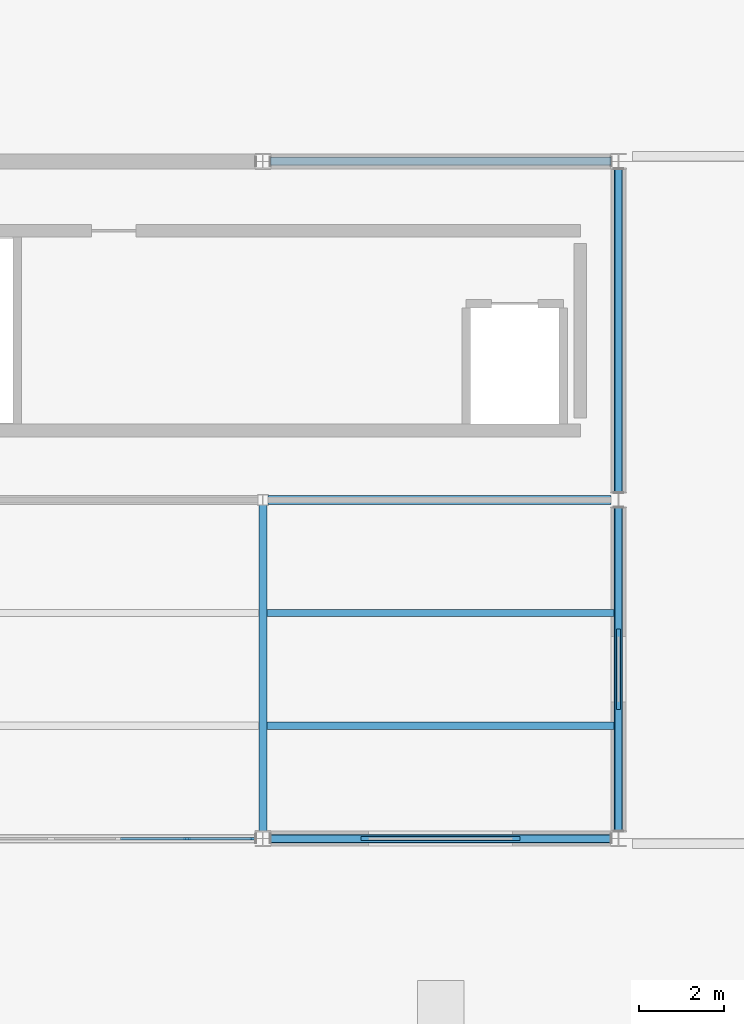
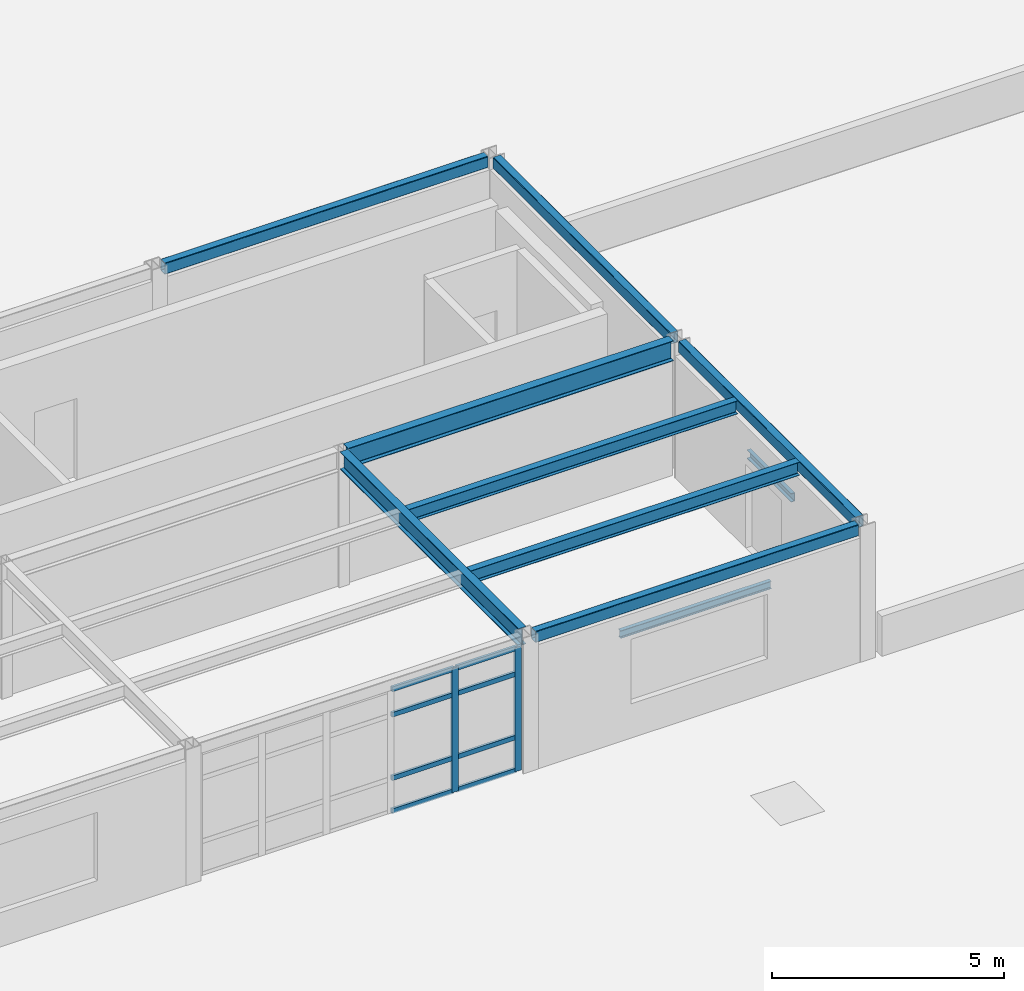
# One storey, part 19 of 96: 10 beams, 10 members, 1 element without a shape of its own.
"""IFC4 building model written with IfcOpenShell, lengths in metres."""

from ifc_helpers import new_model, si_unit, direction, frame, origin, origin_2d, place, context, subcontext, project, spatial, rectangle, hollow_rectangle, i_section, u_section, extrude, material, layer, layer_set, material_profile, profile_set, type_object, element, aggregate, save


model = new_model("IFC4")

# Units and contexts
model_context = context("Model", 3, precision=1e-05, world=origin(), true_north=direction((0.0, 1.0)))
body_context = subcontext(model_context, "Body", "Model", "MODEL_VIEW")
ifc_project = project(units=[si_unit("LENGTHUNIT", "METRE"), si_unit("AREAUNIT", "SQUARE_METRE"), si_unit("VOLUMEUNIT", "CUBIC_METRE"), si_unit("PLANEANGLEUNIT", "RADIAN"), si_unit("MASSUNIT", "GRAM", prefix="KILO")], contexts=[model_context])

# Site, building, storey
site_placement = place(None, origin())
site = spatial("IfcSite", under=ifc_project, at=site_placement, CompositionType="ELEMENT")
building_placement = place(site_placement, origin())
building = spatial("IfcBuilding", under=site, at=building_placement, Name="Kranzveld Transit Interchange", CompositionType="ELEMENT")
storey_placement = place(building_placement, frame((0.0, 0.0, 9.52001953125)))
storey = spatial("IfcBuildingStorey", under=building, at=storey_placement, Name="L02", CompositionType="ELEMENT", Elevation=9.52001953125)

# Beam
ifc_material_1 = material(Name="Steel S355JR", Category="steel")
ifc_material_profile_1 = material_profile(ifc_material_1, i_section(OverallWidth=0.19189453125, OverallDepth=0.46337890625, WebThickness=0.010498046875, FlangeThickness=0.017578125, FilletRadius=0.01025390625, at=origin_2d()), Name="UB 457x191x89")
ifc_profile_set_1 = profile_set([ifc_material_profile_1], Name="Steel S355JR")
beam_type_1 = type_object("IfcBeamType", Name="Beam Steel UB 457x191x89 S355JR", PredefinedType="BEAM", material=ifc_profile_set_1)
beam_1_placement = place(storey_placement, frame((67.199951171875, 24.17724609375, 3.33837890625), z_axis=(0.0, 1.0, 0.0), x_axis=(-1.0, 0.0, 0.0)))
element("IfcBeam", 1, at=beam_1_placement, inside=storey, type_object=beam_type_1, Name="L02 Girder 09/D-E", PredefinedType="BEAM", context=body_context, shape_type="SweptSolid", body=[
    extrude(i_section(OverallWidth=0.19189453125, OverallDepth=0.46337890625, WebThickness=0.010498046875, FlangeThickness=0.017578125, FilletRadius=0.01025390625, at=origin_2d()), origin(), (0.0, 0.0, 1.0), 7.699462890625),
])

# Curtain wall, members
ifc_material_2 = material(Name="Bronze-anodised thermally broken aluminium", Category="aluminium")
ifc_layer = layer(ifc_material_2, 0.155029296875)
ifc_layer_set = layer_set([ifc_layer], Name="Bronze-anodised thermally broken aluminium")
curtain_wall_type = type_object("IfcCurtainWallType", Name="Operations Courtyard Glazed Screen CW-6", PredefinedType="USERDEFINED", material=ifc_layer_set)
curtain_wall_placement = place(storey_placement, origin())
curtain_wall = element("IfcCurtainWall", 2, at=curtain_wall_placement, inside=storey, type_object=curtain_wall_type, Name="L02 Curtain Wall 08/D-09/D", ObjectType="CURTAIN WALL", PredefinedType="USERDEFINED")
ifc_material_3 = material(Name="Bronze-anodised thermally broken aluminium", Category="aluminium")
ifc_material_profile_2 = material_profile(ifc_material_3, rectangle(XDim=0.06494140625, YDim=0.1650390625, at=origin_2d()), Name="ALU MULLION 65x165")
ifc_profile_set_2 = profile_set([ifc_material_profile_2], Name="Bronze-anodised thermally broken aluminium")
member_type_1 = type_object("IfcMemberType", Name="Curtain Wall Mullion 65x165 Alu", PredefinedType="MULLION", material=ifc_profile_set_2)
member_1_placement = place(storey_placement, frame((65.40771484375, 24.0, 0.0), z_axis=(0.0, 0.0, 1.0), x_axis=(0.0, 1.0, 0.0)))
member_1 = element("IfcMember", 3, at=member_1_placement, type_object=member_type_1, Name="CW-6 mullion 5", PredefinedType="MULLION", context=body_context, shape_type="SweptSolid", body=[
    extrude(rectangle(XDim=0.06494140625, YDim=0.1650390625, at=origin_2d()), origin(), (0.0, 0.0, 1.0), 3.27001953125),
])
member_2_placement = place(storey_placement, frame((66.980224609375, 24.0, 0.0), z_axis=(0.0, 0.0, 1.0), x_axis=(0.0, 1.0, 0.0)))
member_2 = element("IfcMember", 4, at=member_2_placement, type_object=member_type_1, Name="CW-6 mullion 6", PredefinedType="MULLION", context=body_context, shape_type="SweptSolid", body=[
    extrude(rectangle(XDim=0.06494140625, YDim=0.1650390625, at=origin_2d()), origin(), (0.0, 0.0, 1.0), 3.27001953125),
])
ifc_material_4 = material(Name="Bronze-anodised thermally broken aluminium", Category="aluminium")
ifc_material_profile_3 = material_profile(ifc_material_4, rectangle(XDim=0.06005859375, YDim=0.125, at=origin_2d()), Name="ALU TRANSOM 60x125")
ifc_profile_set_3 = profile_set([ifc_material_profile_3], Name="Bronze-anodised thermally broken aluminium")
member_type_2 = type_object("IfcMemberType", Name="Curtain Wall Transom 60x125 Alu", PredefinedType="USERDEFINED", material=ifc_profile_set_3)
member_3_placement = place(storey_placement, frame((63.8349609375, 24.0, 0.030029296875), z_axis=(1.0, 0.0, 0.0), x_axis=(0.0, 1.0, 0.0)))
member_3 = element("IfcMember", 5, at=member_3_placement, type_object=member_type_2, Name="CW-6 transom 4.1", ObjectType="TRANSOM", PredefinedType="USERDEFINED", context=body_context, shape_type="SweptSolid", body=[
    extrude(rectangle(XDim=0.06005859375, YDim=0.125, at=origin_2d()), origin(), (0.0, 0.0, 1.0), 1.5400390625),
])
member_4_placement = place(storey_placement, frame((63.8349609375, 24.0, 0.89990234375), z_axis=(1.0, 0.0, 0.0), x_axis=(0.0, 1.0, 0.0)))
member_4 = element("IfcMember", 6, at=member_4_placement, type_object=member_type_2, Name="CW-6 transom 4.2", ObjectType="TRANSOM", PredefinedType="USERDEFINED", context=body_context, shape_type="SweptSolid", body=[
    extrude(rectangle(XDim=0.06005859375, YDim=0.125, at=origin_2d()), origin(), (0.0, 0.0, 1.0), 1.5400390625),
])
member_5_placement = place(storey_placement, frame((63.8349609375, 24.0, 2.570068359375), z_axis=(1.0, 0.0, 0.0), x_axis=(0.0, 1.0, 0.0)))
member_5 = element("IfcMember", 7, at=member_5_placement, type_object=member_type_2, Name="CW-6 transom 4.3", ObjectType="TRANSOM", PredefinedType="USERDEFINED", context=body_context, shape_type="SweptSolid", body=[
    extrude(rectangle(XDim=0.06005859375, YDim=0.125, at=origin_2d()), origin(), (0.0, 0.0, 1.0), 1.5400390625),
])
member_6_placement = place(storey_placement, frame((63.8349609375, 24.0, 3.239990234375), z_axis=(1.0, 0.0, 0.0), x_axis=(0.0, 1.0, 0.0)))
member_6 = element("IfcMember", 8, at=member_6_placement, type_object=member_type_2, Name="CW-6 transom 4.4", ObjectType="TRANSOM", PredefinedType="USERDEFINED", context=body_context, shape_type="SweptSolid", body=[
    extrude(rectangle(XDim=0.06005859375, YDim=0.125, at=origin_2d()), origin(), (0.0, 0.0, 1.0), 1.5400390625),
])
member_7_placement = place(storey_placement, frame((65.440185546875, 24.0, 0.030029296875), z_axis=(1.0, 0.0, 0.0), x_axis=(0.0, 1.0, 0.0)))
member_7 = element("IfcMember", 9, at=member_7_placement, type_object=member_type_2, Name="CW-6 transom 5.1", ObjectType="TRANSOM", PredefinedType="USERDEFINED", context=body_context, shape_type="SweptSolid", body=[
    extrude(rectangle(XDim=0.06005859375, YDim=0.125, at=origin_2d()), origin(), (0.0, 0.0, 1.0), 1.507568359375),
])
member_8_placement = place(storey_placement, frame((65.440185546875, 24.0, 0.89990234375), z_axis=(1.0, 0.0, 0.0), x_axis=(0.0, 1.0, 0.0)))
member_8 = element("IfcMember", 10, at=member_8_placement, type_object=member_type_2, Name="CW-6 transom 5.2", ObjectType="TRANSOM", PredefinedType="USERDEFINED", context=body_context, shape_type="SweptSolid", body=[
    extrude(rectangle(XDim=0.06005859375, YDim=0.125, at=origin_2d()), origin(), (0.0, 0.0, 1.0), 1.507568359375),
])
member_9_placement = place(storey_placement, frame((65.440185546875, 24.0, 2.570068359375), z_axis=(1.0, 0.0, 0.0), x_axis=(0.0, 1.0, 0.0)))
member_9 = element("IfcMember", 11, at=member_9_placement, type_object=member_type_2, Name="CW-6 transom 5.3", ObjectType="TRANSOM", PredefinedType="USERDEFINED", context=body_context, shape_type="SweptSolid", body=[
    extrude(rectangle(XDim=0.06005859375, YDim=0.125, at=origin_2d()), origin(), (0.0, 0.0, 1.0), 1.507568359375),
])
member_10_placement = place(storey_placement, frame((65.440185546875, 24.0, 3.239990234375), z_axis=(1.0, 0.0, 0.0), x_axis=(0.0, 1.0, 0.0)))
member_10 = element("IfcMember", 12, at=member_10_placement, type_object=member_type_2, Name="CW-6 transom 5.4", ObjectType="TRANSOM", PredefinedType="USERDEFINED", context=body_context, shape_type="SweptSolid", body=[
    extrude(rectangle(XDim=0.06005859375, YDim=0.125, at=origin_2d()), origin(), (0.0, 0.0, 1.0), 1.507568359375),
])
aggregate(curtain_wall, [member_1, member_2, member_3, member_4, member_5, member_6, member_7, member_8, member_9, member_10])

# Beams
ifc_material_5 = material(Name="Steel S355JR", Category="steel")
ifc_material_profile_4 = material_profile(ifc_material_5, hollow_rectangle(XDim=0.199951171875, YDim=0.300048828125, WallThickness=0.010009765625, InnerFilletRadius=0.014892578125, OuterFilletRadius=0.02490234375, at=origin_2d()), Name="RHS 300x200x10")
ifc_profile_set_4 = profile_set([ifc_material_profile_4], Name="Steel S355JR")
beam_type_2 = type_object("IfcBeamType", Name="Edge Spandrel RHS 300x200x10 S355JR", PredefinedType="SPANDREL", material=ifc_profile_set_4)
for number, where, z_axis, x_axis, name in (
    (13, (67.377197265625, 24.0, 3.419921875), (1.0, 0.0, 0.0), (0.0, 1.0, 0.0), "L02 Girder 09-10/D"),
    (14, (67.377197265625, 40.0, 3.419921875), (1.0, 0.0, 0.0), (0.0, 1.0, 0.0), "L02 Girder 09-10/F"),
):
    element("IfcBeam", number, at=place(storey_placement, frame(where, z_axis=z_axis, x_axis=x_axis)), inside=storey, type_object=beam_type_2, Name=name, PredefinedType="SPANDREL", context=body_context, shape_type="SweptSolid", body=[
        extrude(hollow_rectangle(XDim=0.199951171875, YDim=0.300048828125, WallThickness=0.010009765625, InnerFilletRadius=0.014892578125, OuterFilletRadius=0.02490234375, at=origin_2d()), origin(), (0.0, 0.0, 1.0), 8.04541015625),
    ])
for number, where, z_axis, x_axis, name in (
    (15, (75.60009765625, 24.17724609375, 3.419921875), (0.0, 1.0, 0.0), (-1.0, 0.0, 0.0), "L02 Girder 10/D-E"),
    (16, (75.60009765625, 32.17724609375, 3.419921875), (0.0, 1.0, 0.0), (-1.0, 0.0, 0.0), "L02 Girder 10/E-F"),
):
    element("IfcBeam", number, at=place(storey_placement, frame(where, z_axis=z_axis, x_axis=x_axis)), inside=storey, type_object=beam_type_2, Name=name, PredefinedType="SPANDREL", context=body_context, shape_type="SweptSolid", body=[
        extrude(hollow_rectangle(XDim=0.199951171875, YDim=0.300048828125, WallThickness=0.010009765625, InnerFilletRadius=0.014892578125, OuterFilletRadius=0.02490234375, at=origin_2d()), origin(), (0.0, 0.0, 1.0), 7.6455078125),
    ])
ifc_material_6 = material(Name="Steel S355JR", Category="steel")
ifc_material_profile_5 = material_profile(ifc_material_6, i_section(OverallWidth=0.171142578125, OverallDepth=0.351318359375, WebThickness=0.007080078125, FlangeThickness=0.009765625, FilletRadius=0.01025390625, at=origin_2d()), Name="UB 356x171x45")
ifc_profile_set_5 = profile_set([ifc_material_profile_5], Name="Steel S355JR")
beam_type_3 = type_object("IfcBeamType", Name="Floor Joist UB 356x171x45 S355JR", PredefinedType="JOIST", material=ifc_profile_set_5)
for number, where, z_axis, x_axis, name in (
    (17, (67.2978515625, 26.666748046875, 3.394287109375), (1.0, 0.0, 0.0), (0.0, 1.0, 0.0), "L02 Secondary Joist 09-10/D.1"),
    (18, (67.2978515625, 29.333251953125, 3.394287109375), (1.0, 0.0, 0.0), (0.0, 1.0, 0.0), "L02 Secondary Joist 09-10/D.2"),
):
    element("IfcBeam", number, at=place(storey_placement, frame(where, z_axis=z_axis, x_axis=x_axis)), inside=storey, type_object=beam_type_3, Name=name, PredefinedType="JOIST", context=body_context, shape_type="SweptSolid", body=[
        extrude(i_section(OverallWidth=0.171142578125, OverallDepth=0.351318359375, WebThickness=0.007080078125, FlangeThickness=0.009765625, FilletRadius=0.01025390625, at=origin_2d()), origin(), (0.0, 0.0, 1.0), 8.2001953125),
    ])
ifc_material_7 = material(Name="Steel S355JR", Category="steel")
ifc_material_profile_6 = material_profile(ifc_material_7, i_section(OverallWidth=0.209228515625, OverallDepth=0.533203125, WebThickness=0.010009765625, FlangeThickness=0.015625, FilletRadius=0.0126953125, at=origin_2d()), Name="UB 533x210x92")
ifc_profile_set_6 = profile_set([ifc_material_profile_6], Name="Steel S355JR")
beam_type_4 = type_object("IfcBeamType", Name="Girder Steel UB 533x210x92 S355JR", PredefinedType="BEAM", material=ifc_profile_set_6)
beam_2_placement = place(storey_placement, frame((67.3193359375, 32.0, 3.303466796875), z_axis=(1.0, 0.0, 0.0), x_axis=(0.0, 1.0, 0.0)))
element("IfcBeam", 19, at=beam_2_placement, inside=storey, type_object=beam_type_4, Name="L02 Girder 09-10/E", PredefinedType="BEAM", context=body_context, shape_type="SweptSolid", body=[
    extrude(i_section(OverallWidth=0.209228515625, OverallDepth=0.533203125, WebThickness=0.010009765625, FlangeThickness=0.015625, FilletRadius=0.0126953125, at=origin_2d()), origin(), (0.0, 0.0, 1.0), 8.103271484375),
])
ifc_material_8 = material(Name="Steel S355JR", Category="steel")
ifc_material_profile_7 = material_profile(ifc_material_8, u_section(Depth=0.22998046875, FlangeWidth=0.090087890625, WebThickness=0.007568359375, FlangeThickness=0.013916015625, FilletRadius=0.011962890625, at=origin_2d()), Name="PFC 230x90x32")
ifc_profile_set_7 = profile_set([ifc_material_profile_7], Name="Steel S355JR")
beam_type_5 = type_object("IfcBeamType", Name="Masonry Lintel PFC 230x90x32 S355JR", PredefinedType="LINTEL", material=ifc_profile_set_7)
beam_3_placement = place(storey_placement, frame((75.60009765625, 27.044921875, 2.320068359375), z_axis=(0.0, 1.0, 0.0), x_axis=(-1.0, 0.0, 0.0)))
element("IfcBeam", 20, at=beam_3_placement, inside=storey, type_object=beam_type_5, Name="L02 Exterior Door Lintel 016", PredefinedType="LINTEL", context=body_context, shape_type="SweptSolid", body=[
    extrude(u_section(Depth=0.22998046875, FlangeWidth=0.090087890625, WebThickness=0.007568359375, FlangeThickness=0.013916015625, FilletRadius=0.011962890625, at=origin_2d()), origin(), (0.0, 0.0, 1.0), 1.91015625),
])
ifc_material_9 = material(Name="Steel S355JR", Category="steel")
ifc_material_profile_8 = material_profile(ifc_material_9, i_section(OverallWidth=0.10009765625, OverallDepth=0.199951171875, WebThickness=0.005615234375, FlangeThickness=0.008544921875, FilletRadius=0.011962890625, at=origin_2d()), Name="IPE 200")
ifc_profile_set_8 = profile_set([ifc_material_profile_8], Name="Steel S355JR")
beam_type_6 = type_object("IfcBeamType", Name="Opening Lintel IPE 200 S355JR", PredefinedType="LINTEL", material=ifc_profile_set_8)
beam_4_placement = place(storey_placement, frame((69.52001953125, 24.0, 2.705078125), z_axis=(1.0, 0.0, 0.0), x_axis=(0.0, 1.0, 0.0)))
element("IfcBeam", 21, at=beam_4_placement, inside=storey, type_object=beam_type_6, Name="L02 Window Lintel 122", PredefinedType="LINTEL", context=body_context, shape_type="SweptSolid", body=[
    extrude(i_section(OverallWidth=0.10009765625, OverallDepth=0.199951171875, WebThickness=0.005615234375, FlangeThickness=0.008544921875, FilletRadius=0.011962890625, at=origin_2d()), origin(), (0.0, 0.0, 1.0), 3.760009765625),
])

save(model, "model.ifc")
